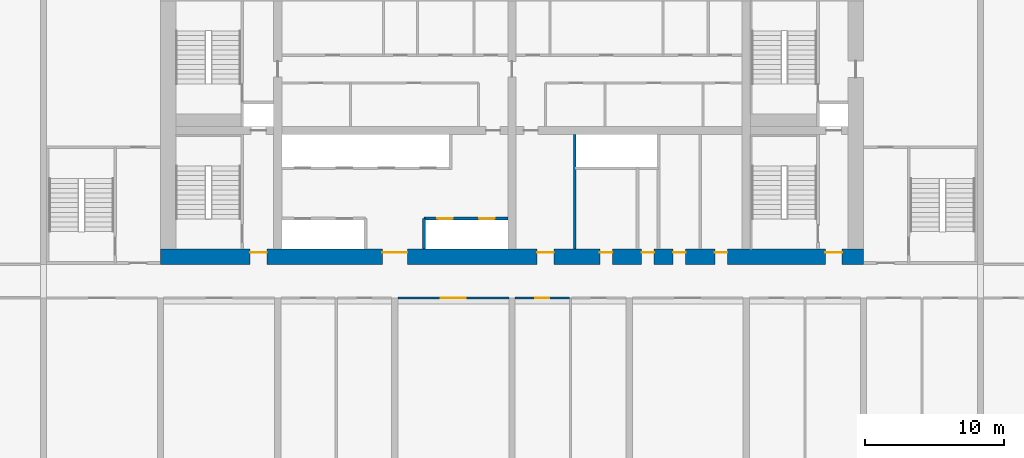
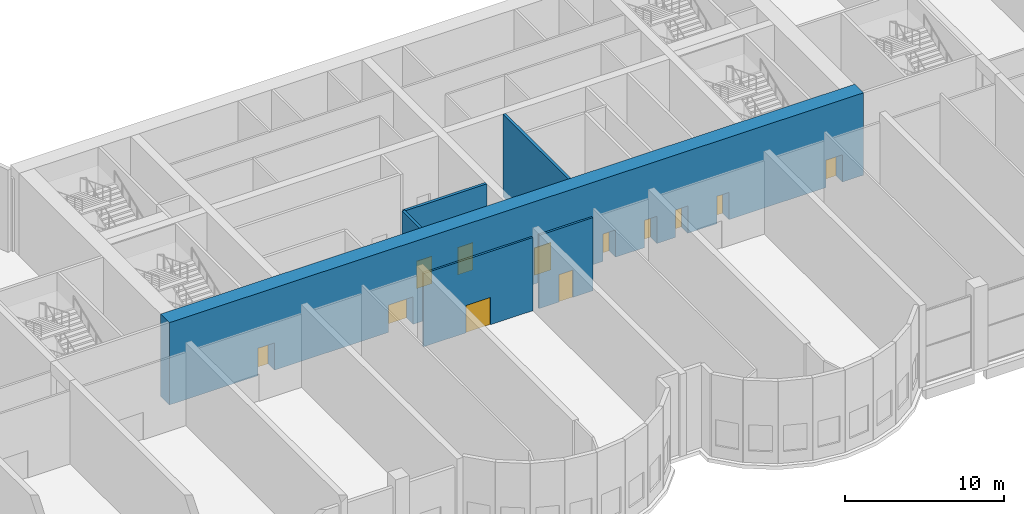
# One storey, part 8 of 15: 12 doors, 6 walls, 12 openings.
"""IFC4 building model written with IfcOpenShell, lengths in metres."""

from ifc_helpers import new_model, si_unit, direction, frame, frame_2d, origin, place, context, subcontext, project, spatial, rectangle, extrude, source, transform, mapped, material, layer, layer_set, type_object, element, fill, save


model = new_model("IFC4")

# Units and contexts
model_context = context("Model", 3, precision=1e-05, world=origin(), true_north=direction((0.0, 1.0)))
body_context = subcontext(model_context, "Body", "Model", "MODEL_VIEW")
ifc_project = project(units=[si_unit("LENGTHUNIT", "METRE"), si_unit("AREAUNIT", "SQUARE_METRE"), si_unit("VOLUMEUNIT", "CUBIC_METRE"), si_unit("PLANEANGLEUNIT", "RADIAN"), si_unit("MASSUNIT", "GRAM", prefix="KILO")], contexts=[model_context])

# Site, building, storey
site_placement = place(None, origin())
site = spatial("IfcSite", under=ifc_project, at=site_placement, CompositionType="ELEMENT")
building_placement = place(site_placement, origin())
building = spatial("IfcBuilding", under=site, at=building_placement, Name="Vanashikhar Sky Hotel", CompositionType="ELEMENT")
storey_placement = place(building_placement, frame((0.0, 0.0, 11.39990234375)))
storey = spatial("IfcBuildingStorey", under=building, at=storey_placement, Name="L02", CompositionType="ELEMENT", Elevation=11.39990234375)

# Wall, openings, doors
ifc_material_1 = material(Name="Concrete M80", Category="concrete")
ifc_layer_1 = layer(ifc_material_1, 1.10009765625)
ifc_layer_set_1 = layer_set([ifc_layer_1], Name="RC core shell wall 1100 Concrete M80")
wall_type_1 = type_object("IfcWallType", Name="RC core shell wall 1100 Concrete M80", PredefinedType="SHEAR", material=ifc_layer_set_1)
shared_shape_1 = source(origin(), body_context, "Body", "SweptSolid", [
    extrude(rectangle(XDim=50.400146484375, YDim=1.10009765625, at=frame_2d((25.2001953125, 0.0))), origin(), (0.0, 0.0, 1.0), 6.320068359375),
])
wall_1_placement = place(storey_placement, frame((25.199951171875, 22.550048828125, 0.0), z_axis=(0.0, 0.0, 1.0), x_axis=(1.0, 0.0, 0.0)))
wall_1 = element("IfcWall", 1, at=wall_1_placement, inside=storey, type_object=wall_type_1, Name="KW-L02-KS", PredefinedType="SHEAR", context=body_context, shape_type="MappedRepresentation", body=[
    mapped(shared_shape_1, transform((0.0, 0.0, 0.0), scale=1.0)),
])
shared_shape_2 = source(origin(), body_context, "Body", "SweptSolid", [
    extrude(rectangle(XDim=1.800048828125, YDim=2.10009765625, at=frame_2d((0.89990234375, 1.050048828125))), frame((0.0, 0.56005859375, 0.0), z_axis=(0.0, -1.0, 0.0), x_axis=(1.0, 0.0, 0.0)), (0.0, 0.0, 1.0), 1.1201171875),
])
opening_1_placement = place(wall_1_placement, frame((15.89990234375, 0.0, 0.0)))
opening_1 = element("IfcOpeningElement", 2, at=opening_1_placement, cuts=wall_1, Name="Opening DC-3-A", PredefinedType="OPENING", context=body_context, shape_type="MappedRepresentation", body=[
    mapped(shared_shape_2, transform((0.0, 0.0, 0.0), scale=1.0)),
])
shared_shape_3 = source(origin(), body_context, "Body", "SweptSolid", [
    extrude(rectangle(XDim=1.199951171875, YDim=2.10009765625, at=frame_2d((0.60009765625, 1.050048828125))), frame((0.0, 0.56005859375, 0.0), z_axis=(0.0, -1.0, 0.0), x_axis=(1.0, 0.0, 0.0)), (0.0, 0.0, 1.0), 1.1201171875),
])
opening_2_placement = place(wall_1_placement, frame((27.0, 0.0, 0.0)))
opening_2 = element("IfcOpeningElement", 3, at=opening_2_placement, cuts=wall_1, Name="Opening DC-4-B", PredefinedType="OPENING", context=body_context, shape_type="MappedRepresentation", body=[
    mapped(shared_shape_3, transform((0.0, 0.0, 0.0), scale=1.0)),
])
shared_shape_4 = source(origin(), body_context, "Body", "SweptSolid", [
    extrude(rectangle(XDim=0.89990234375, YDim=2.10009765625, at=frame_2d((0.449951171875, 1.050048828125))), frame((0.0, 0.56005859375, 0.0), z_axis=(0.0, -1.0, 0.0), x_axis=(1.0, 0.0, 0.0)), (0.0, 0.0, 1.0), 1.1201171875),
])
opening_3_placement = place(wall_1_placement, frame((34.5, 0.0, 0.0)))
opening_3 = element("IfcOpeningElement", 4, at=opening_3_placement, cuts=wall_1, Name="Opening DC-4-A", PredefinedType="OPENING", context=body_context, shape_type="MappedRepresentation", body=[
    mapped(shared_shape_4, transform((0.0, 0.0, 0.0), scale=1.0)),
])
opening_4_placement = place(wall_1_placement, frame((31.5, 0.0, 0.0)))
opening_4 = element("IfcOpeningElement", 5, at=opening_4_placement, cuts=wall_1, Name="Opening DC-4-A", PredefinedType="OPENING", context=body_context, shape_type="MappedRepresentation", body=[
    mapped(shared_shape_4, transform((0.0, 0.0, 0.0), scale=1.0)),
])
opening_5_placement = place(wall_1_placement, frame((39.75, 0.0, 0.0)))
opening_5 = element("IfcOpeningElement", 6, at=opening_5_placement, cuts=wall_1, Name="Opening DC-4-A", PredefinedType="OPENING", context=body_context, shape_type="MappedRepresentation", body=[
    mapped(shared_shape_4, transform((0.0, 0.0, 0.0), scale=1.0)),
])
opening_6_placement = place(wall_1_placement, frame((36.75, 0.0, 0.0)))
opening_6 = element("IfcOpeningElement", 7, at=opening_6_placement, cuts=wall_1, Name="Opening DC-4-A", PredefinedType="OPENING", context=body_context, shape_type="MappedRepresentation", body=[
    mapped(shared_shape_4, transform((0.0, 0.0, 0.0), scale=1.0)),
])
opening_7_placement = place(wall_1_placement, frame((6.425048828125, 0.0, 0.0)))
opening_7 = element("IfcOpeningElement", 8, at=opening_7_placement, cuts=wall_1, Name="Opening DC-2", PredefinedType="OPENING", context=body_context, shape_type="MappedRepresentation", body=[
    mapped(shared_shape_3, transform((0.0, 0.0, 0.0), scale=1.0)),
])
opening_8_placement = place(wall_1_placement, frame((47.675048828125, 0.0, 0.0)))
opening_8 = element("IfcOpeningElement", 9, at=opening_8_placement, cuts=wall_1, Name="Opening DC-2", PredefinedType="OPENING", context=body_context, shape_type="MappedRepresentation", body=[
    mapped(shared_shape_3, transform((0.0, 0.0, 0.0), scale=1.0)),
])
ifc_material_2 = material(Name="Glass", Category="glass")
door_type_1 = type_object("IfcDoorType", Name="Lift lobby entrance door 1800 FD30S", OperationType="NOTDEFINED", PredefinedType="DOOR", material=ifc_material_2)
shared_shape_5 = source(origin(), body_context, "Body", "SweptSolid", [
    extrude(rectangle(XDim=1.800048828125, YDim=2.10009765625, at=frame_2d((0.89990234375, 1.050048828125))), frame((0.0, 0.3251953125, 0.0), z_axis=(0.0, -1.0, 0.0), x_axis=(1.0, 0.0, 0.0)), (0.0, 0.0, 1.0), 0.050048828125),
])
door_1_placement = place(opening_1_placement, origin())
door_1 = element("IfcDoor", 10, at=door_1_placement, inside=storey, type_object=door_type_1, Name="Lift lobby entrance door 1800 FD30S", OperationType="DOUBLE_DOOR_SINGLE_SWING", OverallHeight=2.10009765625, OverallWidth=1.800048828125, PredefinedType="DOOR", context=body_context, shape_type="MappedRepresentation", body=[
    mapped(shared_shape_5, transform((0.0, 0.0, 0.0), scale=1.0)),
])
fill(opening_1, door_1)
ifc_material_3 = material(Name="Steel", Category="steel")
door_type_2 = type_object("IfcDoorType", Name="Service door 1200 FD60", OperationType="NOTDEFINED", PredefinedType="DOOR", material=ifc_material_3)
shared_shape_6 = source(origin(), body_context, "Body", "SweptSolid", [
    extrude(rectangle(XDim=1.199951171875, YDim=2.10009765625, at=frame_2d((0.60009765625, 1.050048828125))), frame((0.0, 0.3251953125, 0.0), z_axis=(0.0, -1.0, 0.0), x_axis=(1.0, 0.0, 0.0)), (0.0, 0.0, 1.0), 0.050048828125),
])
door_2_placement = place(opening_2_placement, origin())
door_2 = element("IfcDoor", 11, at=door_2_placement, inside=storey, type_object=door_type_2, Name="Service door 1200 FD60", OperationType="SINGLE_SWING_LEFT", OverallHeight=2.10009765625, OverallWidth=1.199951171875, PredefinedType="DOOR", context=body_context, shape_type="MappedRepresentation", body=[
    mapped(shared_shape_6, transform((0.0, 0.0, 0.0), scale=1.0)),
])
fill(opening_2, door_2)
door_type_3 = type_object("IfcDoorType", Name="Firefighting lobby door 1200 FD120", OperationType="NOTDEFINED", PredefinedType="DOOR", material=ifc_material_3)
door_3_placement = place(opening_7_placement, origin())
door_3 = element("IfcDoor", 12, at=door_3_placement, inside=storey, type_object=door_type_3, Name="Firefighting lobby door 1200 FD120", OperationType="SINGLE_SWING_LEFT", OverallHeight=2.10009765625, OverallWidth=1.199951171875, PredefinedType="DOOR", context=body_context, shape_type="MappedRepresentation", body=[
    mapped(shared_shape_6, transform((0.0, 0.0, 0.0), scale=1.0)),
])
fill(opening_7, door_3)
door_4_placement = place(opening_8_placement, origin())
door_4 = element("IfcDoor", 13, at=door_4_placement, inside=storey, type_object=door_type_3, Name="Firefighting lobby door 1200 FD120", OperationType="SINGLE_SWING_RIGHT", OverallHeight=2.10009765625, OverallWidth=1.199951171875, PredefinedType="DOOR", context=body_context, shape_type="MappedRepresentation", body=[
    mapped(shared_shape_6, transform((0.0, 0.0, 0.0), scale=1.0)),
])
fill(opening_8, door_4)
door_type_4 = type_object("IfcDoorType", Name="Service door 900 FD60", OperationType="NOTDEFINED", PredefinedType="DOOR", material=ifc_material_3)
shared_shape_7 = source(origin(), body_context, "Body", "SweptSolid", [
    extrude(rectangle(XDim=0.89990234375, YDim=2.10009765625, at=frame_2d((0.449951171875, 1.050048828125))), frame((0.0, 0.3251953125, 0.0), z_axis=(0.0, -1.0, 0.0), x_axis=(1.0, 0.0, 0.0)), (0.0, 0.0, 1.0), 0.050048828125),
])
door_5_placement = place(opening_3_placement, origin())
door_5 = element("IfcDoor", 14, at=door_5_placement, inside=storey, type_object=door_type_4, Name="Service door 900 FD60", OperationType="SINGLE_SWING_LEFT", OverallHeight=2.10009765625, OverallWidth=0.89990234375, PredefinedType="DOOR", context=body_context, shape_type="MappedRepresentation", body=[
    mapped(shared_shape_7, transform((0.0, 0.0, 0.0), scale=1.0)),
])
fill(opening_3, door_5)
door_6_placement = place(opening_4_placement, origin())
door_6 = element("IfcDoor", 15, at=door_6_placement, inside=storey, type_object=door_type_4, Name="Service door 900 FD60", OperationType="SINGLE_SWING_RIGHT", OverallHeight=2.10009765625, OverallWidth=0.89990234375, PredefinedType="DOOR", context=body_context, shape_type="MappedRepresentation", body=[
    mapped(shared_shape_7, transform((0.0, 0.0, 0.0), scale=1.0)),
])
fill(opening_4, door_6)
door_7_placement = place(opening_5_placement, origin())
door_7 = element("IfcDoor", 16, at=door_7_placement, inside=storey, type_object=door_type_4, Name="Service door 900 FD60", OperationType="SINGLE_SWING_LEFT", OverallHeight=2.10009765625, OverallWidth=0.89990234375, PredefinedType="DOOR", context=body_context, shape_type="MappedRepresentation", body=[
    mapped(shared_shape_7, transform((0.0, 0.0, 0.0), scale=1.0)),
])
fill(opening_5, door_7)
door_8_placement = place(opening_6_placement, origin())
door_8 = element("IfcDoor", 17, at=door_8_placement, inside=storey, type_object=door_type_4, Name="Service door 900 FD60", OperationType="SINGLE_SWING_RIGHT", OverallHeight=2.10009765625, OverallWidth=0.89990234375, PredefinedType="DOOR", context=body_context, shape_type="MappedRepresentation", body=[
    mapped(shared_shape_7, transform((0.0, 0.0, 0.0), scale=1.0)),
])
fill(opening_6, door_8)

ifc_material_4 = material(Name="Concrete M40", Category="concrete")
ifc_layer_2 = layer(ifc_material_4, 0.199951171875)
ifc_layer_set_2 = layer_set([ifc_layer_2], Name="Shaft wall 200")
wall_type_2 = type_object("IfcWallType", Name="Shaft wall 200", PredefinedType="SOLIDWALL", material=ifc_layer_set_2)
shared_shape_8 = source(origin(), body_context, "Body", "SweptSolid", [
    extrude(rectangle(XDim=6.0, YDim=0.199951171875, at=frame_2d((3.0, 0.0))), origin(), (0.0, 0.0, 1.0), 6.320068359375),
])
wall_2_placement = place(storey_placement, frame((44.10009765625, 25.300048828125, 0.0), z_axis=(0.0, 0.0, 1.0), x_axis=(1.0, 0.0, 0.0)))
wall_2 = element("IfcWall", 18, at=wall_2_placement, inside=storey, type_object=wall_type_2, Name="Shaft wall 200", PredefinedType="SOLIDWALL", context=body_context, shape_type="MappedRepresentation", body=[
    mapped(shared_shape_8, transform((0.0, 0.0, 0.0), scale=1.0)),
])
shared_shape_9 = source(origin(), body_context, "Body", "SweptSolid", [
    extrude(rectangle(XDim=1.10009765625, YDim=2.10009765625, at=frame_2d((0.550048828125, 1.050048828125))), frame((0.0, 0.10986328125, 0.0), z_axis=(0.0, -1.0, 0.0), x_axis=(1.0, 0.0, 0.0)), (0.0, 0.0, 1.0), 0.219970703125),
])
opening_9_placement = place(wall_2_placement, frame((0.949951171875, 0.0, 0.0)))
opening_9 = element("IfcOpeningElement", 19, at=opening_9_placement, cuts=wall_2, Name="Opening LD", PredefinedType="OPENING", context=body_context, shape_type="MappedRepresentation", body=[
    mapped(shared_shape_9, transform((0.0, 0.0, 0.0), scale=1.0)),
])
opening_10_placement = place(wall_2_placement, frame((3.949951171875, 0.0, 0.0)))
opening_10 = element("IfcOpeningElement", 20, at=opening_10_placement, cuts=wall_2, Name="Opening LD", PredefinedType="OPENING", context=body_context, shape_type="MappedRepresentation", body=[
    mapped(shared_shape_9, transform((0.0, 0.0, 0.0), scale=1.0)),
])
ifc_material_5 = material(Name="Stainless steel", Category="steel")
door_type_5 = type_object("IfcDoorType", Name="Lift landing door 1100", OperationType="NOTDEFINED", PredefinedType="DOOR", material=ifc_material_5)
shared_shape_10 = source(origin(), body_context, "Body", "SweptSolid", [
    extrude(rectangle(XDim=1.10009765625, YDim=2.10009765625, at=frame_2d((0.550048828125, 1.050048828125))), frame((0.0, 0.02490234375, 0.0), z_axis=(0.0, -1.0, 0.0), x_axis=(1.0, 0.0, 0.0)), (0.0, 0.0, 1.0), 0.050048828125),
])
door_9_placement = place(opening_9_placement, origin())
door_9 = element("IfcDoor", 21, at=door_9_placement, inside=storey, type_object=door_type_5, Name="Lift landing door 1100", OperationType="SLIDING_TO_LEFT", OverallHeight=2.10009765625, OverallWidth=1.10009765625, PredefinedType="DOOR", context=body_context, shape_type="MappedRepresentation", body=[
    mapped(shared_shape_10, transform((0.0, 0.0, 0.0), scale=1.0)),
])
fill(opening_9, door_9)
door_10_placement = place(opening_10_placement, origin())
door_10 = element("IfcDoor", 22, at=door_10_placement, inside=storey, type_object=door_type_5, Name="Lift landing door 1100", OperationType="SLIDING_TO_RIGHT", OverallHeight=2.10009765625, OverallWidth=1.10009765625, PredefinedType="DOOR", context=body_context, shape_type="MappedRepresentation", body=[
    mapped(shared_shape_10, transform((0.0, 0.0, 0.0), scale=1.0)),
])
fill(opening_10, door_10)

# Walls
shared_shape_11 = source(origin(), body_context, "Body", "SweptSolid", [
    extrude(rectangle(XDim=2.199951171875, YDim=0.199951171875, at=frame_2d((1.10009765625, 0.0))), origin(), (0.0, 0.0, 1.0), 6.320068359375),
])
wall_3_placement = place(storey_placement, frame((44.10009765625, 23.10009765625, 0.0), z_axis=(0.0, 0.0, 1.0), x_axis=(0.0, 1.0, 0.0)))
element("IfcWall", 23, at=wall_3_placement, inside=storey, type_object=wall_type_2, Name="Shaft wall 200", PredefinedType="SOLIDWALL", context=body_context, shape_type="MappedRepresentation", body=[
    mapped(shared_shape_11, transform((0.0, 0.0, 0.0), scale=1.0)),
])
ifc_material_6 = material(Name="Gypsum board partition")
ifc_layer_3 = layer(ifc_material_6, 0.14990234375)
ifc_layer_set_3 = layer_set([ifc_layer_3], Name="Service partition 150")
wall_type_3 = type_object("IfcWallType", Name="Service partition 150", PredefinedType="PARTITIONING", material=ifc_layer_set_3)
shared_shape_12 = source(origin(), body_context, "Body", "SweptSolid", [
    extrude(rectangle(XDim=8.199951171875, YDim=0.199951171875, at=frame_2d((4.10009765625, 0.0))), origin(), (0.0, 0.0, 1.0), 6.320068359375),
])
wall_4_placement = place(storey_placement, frame((54.89990234375, 23.10009765625, 0.0), z_axis=(0.0, 0.0, 1.0), x_axis=(0.0, 1.0, 0.0)))
element("IfcWall", 24, at=wall_4_placement, inside=storey, type_object=wall_type_3, Name="Service partition 150", PredefinedType="PARTITIONING", context=body_context, shape_type="MappedRepresentation", body=[
    mapped(shared_shape_12, transform((0.0, 0.0, 0.0), scale=1.0)),
])

# Wall, opening, door
ifc_material_7 = material(Name="Gypsum plasterboard partition")
ifc_layer_4 = layer(ifc_material_7, 0.14990234375)
ifc_layer_set_4 = layer_set([ifc_layer_4], Name="Corridor and demising partition 150")
wall_type_4 = type_object("IfcWallType", Name="Corridor and demising partition 150", PredefinedType="PARTITIONING", material=ifc_layer_set_4)
shared_shape_13 = source(origin(), body_context, "Body", "SweptSolid", [
    extrude(rectangle(XDim=7.949951171875, YDim=0.14990234375, at=frame_2d((3.97509765625, 0.0))), origin(), (0.0, 0.0, 1.0), 5.6201171875),
])
wall_5_placement = place(storey_placement, frame((42.22509765625, 19.60009765625, 0.0), z_axis=(0.0, 0.0, 1.0), x_axis=(1.0, 0.0, 0.0)))
wall_5 = element("IfcWall", 25, at=wall_5_placement, inside=storey, type_object=wall_type_4, Name="W-L02-PW008", PredefinedType="PARTITIONING", context=body_context, shape_type="MappedRepresentation", body=[
    mapped(shared_shape_13, transform((0.0, 0.0, 0.0), scale=1.0)),
])
shared_shape_14 = source(origin(), body_context, "Body", "SweptSolid", [
    extrude(rectangle(XDim=1.800048828125, YDim=2.10009765625, at=frame_2d((0.89990234375, 1.050048828125))), frame((0.0, 0.0849609375, 0.0), z_axis=(0.0, -1.0, 0.0), x_axis=(1.0, 0.0, 0.0)), (0.0, 0.0, 1.0), 0.169921875),
])
opening_11_placement = place(wall_5_placement, frame((3.074951171875, 0.0, 0.0)))
opening_11 = element("IfcOpeningElement", 26, at=opening_11_placement, cuts=wall_5, Name="Opening D-03", PredefinedType="OPENING", context=body_context, shape_type="MappedRepresentation", body=[
    mapped(shared_shape_14, transform((0.0, 0.0, 0.0), scale=1.0)),
])
ifc_material_8 = material(Name="Timber fire door", Category="wood")
door_type_6 = type_object("IfcDoorType", Name="Double leaf door 1800 FD30S", OperationType="NOTDEFINED", PredefinedType="DOOR", material=ifc_material_8)
shared_shape_15 = source(origin(), body_context, "Body", "SweptSolid", [
    extrude(rectangle(XDim=1.800048828125, YDim=2.10009765625, at=frame_2d((0.89990234375, 1.050048828125))), frame((0.0, 0.02490234375, 0.0), z_axis=(0.0, -1.0, 0.0), x_axis=(1.0, 0.0, 0.0)), (0.0, 0.0, 1.0), 0.050048828125),
])
door_11_placement = place(opening_11_placement, origin())
door_11 = element("IfcDoor", 27, at=door_11_placement, inside=storey, type_object=door_type_6, Name="D-L02-007", OperationType="DOUBLE_DOOR_SINGLE_SWING", OverallHeight=2.10009765625, OverallWidth=1.800048828125, PredefinedType="DOOR", context=body_context, shape_type="MappedRepresentation", body=[
    mapped(shared_shape_15, transform((0.0, 0.0, 0.0), scale=1.0)),
])
fill(opening_11, door_11)

shared_shape_16 = source(origin(), body_context, "Body", "SweptSolid", [
    extrude(rectangle(XDim=3.89990234375, YDim=0.14990234375, at=frame_2d((1.949951171875, 0.0))), origin(), (0.0, 0.0, 1.0), 5.6201171875),
])
wall_6_placement = place(storey_placement, frame((50.625, 19.60009765625, 0.0), z_axis=(0.0, 0.0, 1.0), x_axis=(1.0, 0.0, 0.0)))
wall_6 = element("IfcWall", 28, at=wall_6_placement, inside=storey, type_object=wall_type_4, Name="W-L02-PW009", PredefinedType="PARTITIONING", context=body_context, shape_type="MappedRepresentation", body=[
    mapped(shared_shape_16, transform((0.0, 0.0, 0.0), scale=1.0)),
])
shared_shape_17 = source(origin(), body_context, "Body", "SweptSolid", [
    extrude(rectangle(XDim=1.0, YDim=2.10009765625, at=frame_2d((0.5, 1.050048828125))), frame((0.0, 0.0849609375, 0.0), z_axis=(0.0, -1.0, 0.0), x_axis=(1.0, 0.0, 0.0)), (0.0, 0.0, 1.0), 0.169921875),
])
opening_12_placement = place(wall_6_placement, frame((1.449951171875, 0.0, 0.0)))
opening_12 = element("IfcOpeningElement", 29, at=opening_12_placement, cuts=wall_6, Name="Opening D-01", PredefinedType="OPENING", context=body_context, shape_type="MappedRepresentation", body=[
    mapped(shared_shape_17, transform((0.0, 0.0, 0.0), scale=1.0)),
])
door_type_7 = type_object("IfcDoorType", Name="Guest entry door 1000 FD30S", OperationType="NOTDEFINED", PredefinedType="DOOR", material=ifc_material_8)
shared_shape_18 = source(origin(), body_context, "Body", "SweptSolid", [
    extrude(rectangle(XDim=1.0, YDim=2.10009765625, at=frame_2d((0.5, 1.050048828125))), frame((0.0, 0.02490234375, 0.0), z_axis=(0.0, -1.0, 0.0), x_axis=(1.0, 0.0, 0.0)), (0.0, 0.0, 1.0), 0.050048828125),
])
door_12_placement = place(opening_12_placement, origin())
door_12 = element("IfcDoor", 30, at=door_12_placement, inside=storey, type_object=door_type_7, Name="D-L02-008", OperationType="SINGLE_SWING_LEFT", OverallHeight=2.10009765625, OverallWidth=1.0, PredefinedType="DOOR", context=body_context, shape_type="MappedRepresentation", body=[
    mapped(shared_shape_18, transform((0.0, 0.0, 0.0), scale=1.0)),
])
fill(opening_12, door_12)

save(model, "model.ifc")
